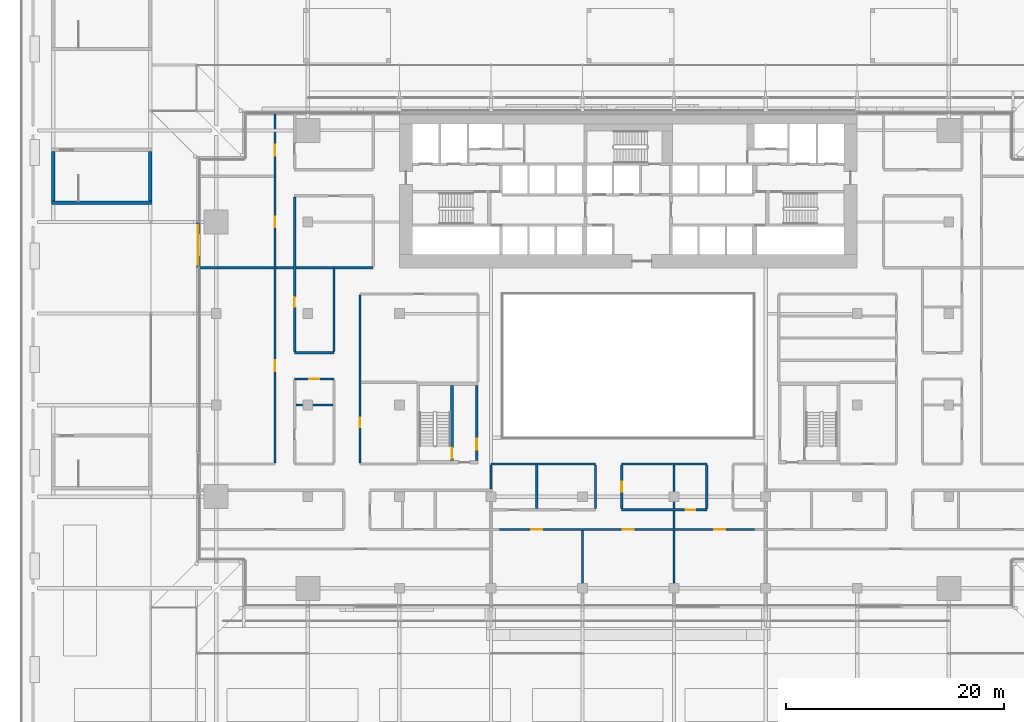
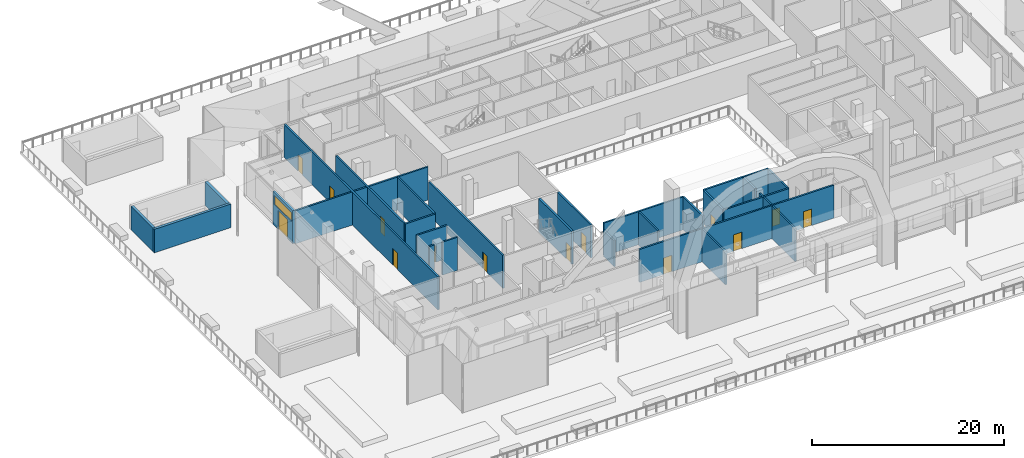
# One storey, part 23 of 60: 32 walls, 14 doors, 1 window, 15 openings.
"""IFC4 building model written with IfcOpenShell, lengths in metres."""

from ifc_helpers import new_model, si_unit, direction, frame, frame_2d, origin, place, context, subcontext, project, spatial, rectangle, extrude, material, layer, layer_set, type_object, element, fill, save


model = new_model("IFC4")

# Units and contexts
model_context = context("Model", 3, precision=1e-05, world=origin(), true_north=direction((0.0, 1.0)))
body_context = subcontext(model_context, "Body", "Model", "MODEL_VIEW")
ifc_project = project(units=[si_unit("LENGTHUNIT", "METRE"), si_unit("AREAUNIT", "SQUARE_METRE"), si_unit("VOLUMEUNIT", "CUBIC_METRE"), si_unit("PLANEANGLEUNIT", "RADIAN"), si_unit("MASSUNIT", "GRAM", prefix="KILO")], contexts=[model_context])

# Site, building, storey
site_placement = place(None, origin())
site = spatial("IfcSite", under=ifc_project, at=site_placement, CompositionType="ELEMENT")
building_placement = place(site_placement, origin())
building = spatial("IfcBuilding", under=site, at=building_placement, Name="Saffron Gate Tower", CompositionType="ELEMENT")
storey_placement = place(building_placement, frame((0.0, 0.0, 19.199951171875)))
storey = spatial("IfcBuildingStorey", under=building, at=storey_placement, Name="L03", CompositionType="ELEMENT", Elevation=19.199951171875)

# Wall, opening, door
ifc_material_1 = material(Name="Gypsum board partition on steel studs", Category="steel")
ifc_layer_1 = layer(ifc_material_1, 0.199951171875)
ifc_layer_set_1 = layer_set([ifc_layer_1], Name="CW10 Core partition 200")
wall_type_1 = type_object("IfcWallType", Name="CW10 Core partition 200", PredefinedType="PARTITIONING", material=ifc_layer_set_1)
wall_1_placement = place(storey_placement, frame((73.699951171875, 43.5, 0.0), z_axis=(0.0, 0.0, 1.0), x_axis=(0.0, 1.0, 0.0)))
wall_1 = element("IfcWall", 1, at=wall_1_placement, inside=storey, type_object=wall_type_1, Name="Wall CW10-L03-D-4", PredefinedType="PARTITIONING", context=body_context, shape_type="SweptSolid", body=[
    extrude(rectangle(XDim=6.89990234375, YDim=0.199951171875, at=frame_2d((3.449951171875, 0.0))), origin(), (0.0, 0.0, 1.0), 4.199951171875),
])
opening_1_placement = place(wall_1_placement, frame((1.0, 0.0, 0.0)))
opening_1 = element("IfcOpeningElement", 2, at=opening_1_placement, cuts=wall_1, Name="Opening CR-19", PredefinedType="OPENING", context=body_context, shape_type="SweptSolid", body=[
    extrude(rectangle(XDim=1.0, YDim=2.10009765625, at=frame_2d((0.5, 1.050048828125))), frame((0.0, 0.10986328125, 0.0), z_axis=(0.0, -1.0, 0.0), x_axis=(1.0, 0.0, 0.0)), (0.0, 0.0, 1.0), 0.219970703125),
])
ifc_material_2 = material(Name="Steel fire door set", Category="steel")
door_type_1 = type_object("IfcDoorType", Name="CD4 Lobby door 1000x2100 EI 120", OperationType="NOTDEFINED", PredefinedType="DOOR", material=ifc_material_2)
door_1_placement = place(opening_1_placement, origin())
door_1 = element("IfcDoor", 3, at=door_1_placement, inside=storey, type_object=door_type_1, Name="DOOR CR-19", OperationType="SINGLE_SWING_RIGHT", OverallHeight=2.10009765625, OverallWidth=1.0, PredefinedType="DOOR", context=body_context, shape_type="SweptSolid", body=[
    extrude(rectangle(XDim=1.0, YDim=2.10009765625, at=frame_2d((0.5, 1.050048828125))), frame((0.0, 0.02490234375, 0.0), z_axis=(0.0, -1.0, 0.0), x_axis=(1.0, 0.0, 0.0)), (0.0, 0.0, 1.0), 0.050048828125),
])
fill(opening_1, door_1)

ifc_material_3 = material(Name="Concrete C70", Category="concrete")
ifc_layer_2 = layer(ifc_material_3, 0.25)
ifc_layer_set_2 = layer_set([ifc_layer_2], Name="CW2 RC core wall 250 C70")
wall_type_2 = type_object("IfcWallType", Name="CW2 RC core wall 250 C70", PredefinedType="SOLIDWALL", material=ifc_layer_set_2)
wall_2_placement = place(storey_placement, frame((71.425048828125, 43.5, 0.0), z_axis=(0.0, 0.0, 1.0), x_axis=(0.0, 1.0, 0.0)))
wall_2 = element("IfcWall", 4, at=wall_2_placement, inside=storey, type_object=wall_type_2, Name="Wall CW2-L03-D-3", PredefinedType="SOLIDWALL", context=body_context, shape_type="SweptSolid", body=[
    extrude(rectangle(XDim=6.89990234375, YDim=0.25, at=frame_2d((3.449951171875, 0.0))), origin(), (0.0, 0.0, 1.0), 4.199951171875),
])
opening_2_placement = place(wall_2_placement, frame((0.199951171875, 0.0, 0.0)))
opening_2 = element("IfcOpeningElement", 5, at=opening_2_placement, cuts=wall_2, Name="Opening CR-20", PredefinedType="OPENING", context=body_context, shape_type="SweptSolid", body=[
    extrude(rectangle(XDim=1.0, YDim=2.10009765625, at=frame_2d((0.5, 1.050048828125))), frame((0.0, 0.135009765625, 0.0), z_axis=(0.0, -1.0, 0.0), x_axis=(1.0, 0.0, 0.0)), (0.0, 0.0, 1.0), 0.27001953125),
])
door_type_2 = type_object("IfcDoorType", Name="CD5 Stair door 1000x2100 EI 120", OperationType="NOTDEFINED", PredefinedType="DOOR", material=ifc_material_2)
door_2_placement = place(opening_2_placement, origin())
door_2 = element("IfcDoor", 6, at=door_2_placement, inside=storey, type_object=door_type_2, Name="DOOR CR-20", OperationType="SINGLE_SWING_LEFT", OverallHeight=2.10009765625, OverallWidth=1.0, PredefinedType="DOOR", context=body_context, shape_type="SweptSolid", body=[
    extrude(rectangle(XDim=1.0, YDim=2.10009765625, at=frame_2d((0.5, 1.050048828125))), frame((0.0, 0.02490234375, 0.0), z_axis=(0.0, -1.0, 0.0), x_axis=(1.0, 0.0, 0.0)), (0.0, 0.0, 1.0), 0.050048828125),
])
fill(opening_2, door_2)

# Walls
ifc_layer_3 = layer(ifc_material_3, 0.300048828125)
ifc_layer_set_3 = layer_set([ifc_layer_3], Name="CW5 RC core wall 300 C70")
wall_type_3 = type_object("IfcWallType", Name="CW5 RC core wall 300 C70", PredefinedType="SOLIDWALL", material=ifc_layer_set_3)
wall_3_placement = place(storey_placement, frame((34.699951171875, 67.175048828125, 0.0), z_axis=(0.0, 0.0, 1.0), x_axis=(1.0, 0.0, 0.0)))
element("IfcWall", 7, at=wall_3_placement, inside=storey, type_object=wall_type_3, Name="Wall CW5-L03-G-1", PredefinedType="SOLIDWALL", context=body_context, shape_type="SweptSolid", body=[
    extrude(rectangle(XDim=9.199951171875, YDim=0.300048828125, at=frame_2d((4.60009765625, 0.0))), origin(), (0.0, 0.0, 1.0), 3.0),
])
for number, where, z_axis, x_axis, name in (
    (8, (34.85009765625, 67.324951171875, 0.0), (0.0, 0.0, 1.0), (0.0, 1.0, 0.0), "Wall CW5-L03-G-2"),
    (9, (43.75, 67.324951171875, 0.0), (0.0, 0.0, 1.0), (0.0, 1.0, 0.0), "Wall CW5-L03-G-3"),
):
    element("IfcWall", number, at=place(storey_placement, frame(where, z_axis=z_axis, x_axis=x_axis)), inside=storey, type_object=wall_type_3, Name=name, PredefinedType="SOLIDWALL", context=body_context, shape_type="SweptSolid", body=[
        extrude(rectangle(XDim=4.550048828125, YDim=0.300048828125, at=frame_2d((2.27490234375, 0.0))), origin(), (0.0, 0.0, 1.0), 3.0),
    ])

# Wall, openings, doors
ifc_material_4 = material(Name="Clay brick masonry, rendered", Category="masonry")
ifc_layer_4 = layer(ifc_material_4, 0.199951171875)
ifc_layer_set_4 = layer_set([ifc_layer_4], Name="PW3 Corridor wall 200")
wall_type_4 = type_object("IfcWallType", Name="PW3 Corridor wall 200", PredefinedType="PARTITIONING", material=ifc_layer_set_4)
wall_4_placement = place(storey_placement, frame((99.175048828125, 37.199951171875, 0.0), z_axis=(0.0, 0.0, 1.0), x_axis=(-1.0, 0.0, 0.0)))
wall_4 = element("IfcWall", 10, at=wall_4_placement, inside=storey, type_object=wall_type_4, Name="Wall S1-5", PredefinedType="PARTITIONING", context=body_context, shape_type="SweptSolid", body=[
    extrude(rectangle(XDim=23.375, YDim=0.199951171875, at=frame_2d((11.6875, 0.0))), origin(), (0.0, 0.0, 1.0), 4.199951171875),
])
opening_3_placement = place(wall_4_placement, frame((2.675048828125, 0.0, 0.0)))
opening_3 = element("IfcOpeningElement", 11, at=opening_3_placement, cuts=wall_4, Name="Opening S1-35", PredefinedType="OPENING", context=body_context, shape_type="SweptSolid", body=[
    extrude(rectangle(XDim=1.0, YDim=2.10009765625, at=frame_2d((0.5, 1.050048828125))), frame((0.0, 0.10986328125, 0.0), z_axis=(0.0, -1.0, 0.0), x_axis=(1.0, 0.0, 0.0)), (0.0, 0.0, 1.0), 0.219970703125),
])
opening_4_placement = place(wall_4_placement, frame((11.074951171875, 0.0, 0.0)))
opening_4 = element("IfcOpeningElement", 12, at=opening_4_placement, cuts=wall_4, Name="Opening S1-34", PredefinedType="OPENING", context=body_context, shape_type="SweptSolid", body=[
    extrude(rectangle(XDim=1.0, YDim=2.10009765625, at=frame_2d((0.5, 1.050048828125))), frame((0.0, 0.10986328125, 0.0), z_axis=(0.0, -1.0, 0.0), x_axis=(1.0, 0.0, 0.0)), (0.0, 0.0, 1.0), 0.219970703125),
])
opening_5_placement = place(wall_4_placement, frame((19.47509765625, 0.0, 0.0)))
opening_5 = element("IfcOpeningElement", 13, at=opening_5_placement, cuts=wall_4, Name="Opening S1-33", PredefinedType="OPENING", context=body_context, shape_type="SweptSolid", body=[
    extrude(rectangle(XDim=1.0, YDim=2.10009765625, at=frame_2d((0.5, 1.050048828125))), frame((0.0, 0.10986328125, 0.0), z_axis=(0.0, -1.0, 0.0), x_axis=(1.0, 0.0, 0.0)), (0.0, 0.0, 1.0), 0.219970703125),
])
ifc_material_5 = material(Name="Timber door set", Category="wood")
door_type_3 = type_object("IfcDoorType", Name="HD1 Hall door 1200x2100", OperationType="NOTDEFINED", PredefinedType="DOOR", material=ifc_material_5)
door_3_placement = place(opening_3_placement, origin())
door_3 = element("IfcDoor", 14, at=door_3_placement, inside=storey, type_object=door_type_3, Name="Door S1-35", OperationType="SINGLE_SWING_LEFT", OverallHeight=2.10009765625, OverallWidth=1.0, PredefinedType="DOOR", context=body_context, shape_type="SweptSolid", body=[
    extrude(rectangle(XDim=1.0, YDim=2.10009765625, at=frame_2d((0.5, 1.050048828125))), frame((0.0, 0.02490234375, 0.0), z_axis=(0.0, -1.0, 0.0), x_axis=(1.0, 0.0, 0.0)), (0.0, 0.0, 1.0), 0.050048828125),
])
fill(opening_3, door_3)
door_4_placement = place(opening_4_placement, origin())
door_4 = element("IfcDoor", 15, at=door_4_placement, inside=storey, type_object=door_type_3, Name="Door S1-34", OperationType="SINGLE_SWING_RIGHT", OverallHeight=2.10009765625, OverallWidth=1.0, PredefinedType="DOOR", context=body_context, shape_type="SweptSolid", body=[
    extrude(rectangle(XDim=1.0, YDim=2.10009765625, at=frame_2d((0.5, 1.050048828125))), frame((0.0, 0.02490234375, 0.0), z_axis=(0.0, -1.0, 0.0), x_axis=(1.0, 0.0, 0.0)), (0.0, 0.0, 1.0), 0.050048828125),
])
fill(opening_4, door_4)
door_5_placement = place(opening_5_placement, origin())
door_5 = element("IfcDoor", 16, at=door_5_placement, inside=storey, type_object=door_type_3, Name="Door S1-33", OperationType="SINGLE_SWING_RIGHT", OverallHeight=2.10009765625, OverallWidth=1.0, PredefinedType="DOOR", context=body_context, shape_type="SweptSolid", body=[
    extrude(rectangle(XDim=1.0, YDim=2.10009765625, at=frame_2d((0.5, 1.050048828125))), frame((0.0, 0.02490234375, 0.0), z_axis=(0.0, -1.0, 0.0), x_axis=(1.0, 0.0, 0.0)), (0.0, 0.0, 1.0), 0.050048828125),
])
fill(opening_5, door_5)

# Wall, opening, door
wall_5_placement = place(storey_placement, frame((87.0, 39.0, 0.0), z_axis=(0.0, 0.0, 1.0), x_axis=(1.0, 0.0, 0.0)))
wall_5 = element("IfcWall", 17, at=wall_5_placement, inside=storey, type_object=wall_type_4, Name="Wall S1-9", PredefinedType="PARTITIONING", context=body_context, shape_type="SweptSolid", body=[
    extrude(rectangle(XDim=7.800048828125, YDim=0.199951171875, at=frame_2d((3.89990234375, 0.0))), origin(), (0.0, 0.0, 1.0), 4.199951171875),
])
opening_6_placement = place(wall_5_placement, frame((5.85009765625, 0.0, 0.0)))
opening_6 = element("IfcOpeningElement", 18, at=opening_6_placement, cuts=wall_5, Name="Opening S1-13", PredefinedType="OPENING", context=body_context, shape_type="SweptSolid", body=[
    extrude(rectangle(XDim=0.89990234375, YDim=2.10009765625, at=frame_2d((0.449951171875, 1.050048828125))), frame((0.0, 0.10986328125, 0.0), z_axis=(0.0, -1.0, 0.0), x_axis=(1.0, 0.0, 0.0)), (0.0, 0.0, 1.0), 0.219970703125),
])
door_type_4 = type_object("IfcDoorType", Name="RD1 Room door 900x2100", OperationType="NOTDEFINED", PredefinedType="DOOR", material=ifc_material_5)
door_6_placement = place(opening_6_placement, origin())
door_6 = element("IfcDoor", 19, at=door_6_placement, inside=storey, type_object=door_type_4, Name="Door S1-13", OperationType="SINGLE_SWING_LEFT", OverallHeight=2.10009765625, OverallWidth=0.89990234375, PredefinedType="DOOR", context=body_context, shape_type="SweptSolid", body=[
    extrude(rectangle(XDim=0.89990234375, YDim=2.10009765625, at=frame_2d((0.449951171875, 1.050048828125))), frame((0.0, 0.02490234375, 0.0), z_axis=(0.0, -1.0, 0.0), x_axis=(1.0, 0.0, 0.0)), (0.0, 0.0, 1.0), 0.050048828125),
])
fill(opening_6, door_6)

# Walls
wall_6_placement = place(storey_placement, frame((75.0, 43.199951171875, 0.0), z_axis=(0.0, 0.0, 1.0), x_axis=(1.0, 0.0, 0.0)))
element("IfcWall", 20, at=wall_6_placement, inside=storey, type_object=wall_type_4, Name="Wall S1-20", PredefinedType="PARTITIONING", context=body_context, shape_type="SweptSolid", body=[
    extrude(rectangle(XDim=9.60009765625, YDim=0.199951171875, at=frame_2d((4.800048828125, 0.0))), origin(), (0.0, 0.0, 1.0), 4.199951171875),
])
wall_7_placement = place(storey_placement, frame((87.0, 43.199951171875, 0.0), z_axis=(0.0, 0.0, 1.0), x_axis=(1.0, 0.0, 0.0)))
element("IfcWall", 21, at=wall_7_placement, inside=storey, type_object=wall_type_4, Name="Wall S1-21", PredefinedType="PARTITIONING", context=body_context, shape_type="SweptSolid", body=[
    extrude(rectangle(XDim=7.800048828125, YDim=0.199951171875, at=frame_2d((3.89990234375, 0.0))), origin(), (0.0, 0.0, 1.0), 4.199951171875),
])

# Wall, opening, door
wall_8_placement = place(storey_placement, frame((60.60009765625, 51.0, 0.0), z_axis=(0.0, 0.0, 1.0), x_axis=(-1.0, 0.0, 0.0)))
wall_8 = element("IfcWall", 22, at=wall_8_placement, inside=storey, type_object=wall_type_4, Name="Wall S1-32", PredefinedType="PARTITIONING", context=body_context, shape_type="SweptSolid", body=[
    extrude(rectangle(XDim=3.60009765625, YDim=0.199951171875, at=frame_2d((1.800048828125, 0.0))), origin(), (0.0, 0.0, 1.0), 4.199951171875),
])
opening_7_placement = place(wall_8_placement, frame((1.35009765625, 0.0, 0.0)))
opening_7 = element("IfcOpeningElement", 23, at=opening_7_placement, cuts=wall_8, Name="Opening S1-20", PredefinedType="OPENING", context=body_context, shape_type="SweptSolid", body=[
    extrude(rectangle(XDim=0.89990234375, YDim=2.10009765625, at=frame_2d((0.449951171875, 1.050048828125))), frame((0.0, 0.10986328125, 0.0), z_axis=(0.0, -1.0, 0.0), x_axis=(1.0, 0.0, 0.0)), (0.0, 0.0, 1.0), 0.219970703125),
])
door_7_placement = place(opening_7_placement, origin())
door_7 = element("IfcDoor", 24, at=door_7_placement, inside=storey, type_object=door_type_4, Name="Door S1-20", OperationType="SINGLE_SWING_LEFT", OverallHeight=2.10009765625, OverallWidth=0.89990234375, PredefinedType="DOOR", context=body_context, shape_type="SweptSolid", body=[
    extrude(rectangle(XDim=0.89990234375, YDim=2.10009765625, at=frame_2d((0.449951171875, 1.050048828125))), frame((0.0, 0.02490234375, 0.0), z_axis=(0.0, -1.0, 0.0), x_axis=(1.0, 0.0, 0.0)), (0.0, 0.0, 1.0), 0.050048828125),
])
fill(opening_7, door_7)

# Walls
wall_9_placement = place(storey_placement, frame((57.0, 53.39990234375, 0.0), z_axis=(0.0, 0.0, 1.0), x_axis=(1.0, 0.0, 0.0)))
element("IfcWall", 25, at=wall_9_placement, inside=storey, type_object=wall_type_4, Name="Wall S1-35", PredefinedType="PARTITIONING", context=body_context, shape_type="SweptSolid", body=[
    extrude(rectangle(XDim=3.60009765625, YDim=0.199951171875, at=frame_2d((1.800048828125, 0.0))), origin(), (0.0, 0.0, 1.0), 4.199951171875),
])
wall_10_placement = place(storey_placement, frame((55.300048828125, 61.199951171875, 0.0), z_axis=(0.0, 0.0, 1.0), x_axis=(1.0, 0.0, 0.0)))
element("IfcWall", 26, at=wall_10_placement, inside=storey, type_object=wall_type_4, Name="Wall S1-43", PredefinedType="PARTITIONING", context=body_context, shape_type="SweptSolid", body=[
    extrude(rectangle(XDim=1.599853515625, YDim=0.199951171875, at=frame_2d((0.7998046875, 0.0))), origin(), (0.0, 0.0, 1.0), 4.199951171875),
])
wall_11_placement = place(storey_placement, frame((60.60009765625, 61.199951171875, 0.0), z_axis=(0.0, 0.0, 1.0), x_axis=(1.0, 0.0, 0.0)))
element("IfcWall", 27, at=wall_11_placement, inside=storey, type_object=wall_type_4, Name="Wall S1-44", PredefinedType="PARTITIONING", context=body_context, shape_type="SweptSolid", body=[
    extrude(rectangle(XDim=3.599853515625, YDim=0.199951171875, at=frame_2d((1.7998046875, 0.0))), origin(), (0.0, 0.0, 1.0), 4.199951171875),
])

# Wall, openings, doors
wall_12_placement = place(storey_placement, frame((55.199951171875, 43.300048828125, 0.0), z_axis=(0.0, 0.0, 1.0), x_axis=(0.0, 1.0, 0.0)))
wall_12 = element("IfcWall", 28, at=wall_12_placement, inside=storey, type_object=wall_type_4, Name="Wall S1-57", PredefinedType="PARTITIONING", context=body_context, shape_type="SweptSolid", body=[
    extrude(rectangle(XDim=32.02001953125, YDim=0.199951171875, at=frame_2d((16.010009765625, 0.0))), origin(), (0.0, 0.0, 1.0), 4.199951171875),
])
opening_8_placement = place(wall_12_placement, frame((8.39990234375, 0.0, 0.0)))
opening_8 = element("IfcOpeningElement", 29, at=opening_8_placement, cuts=wall_12, Name="Opening S1-37", PredefinedType="OPENING", context=body_context, shape_type="SweptSolid", body=[
    extrude(rectangle(XDim=1.0, YDim=2.10009765625, at=frame_2d((0.5, 1.050048828125))), frame((0.0, 0.10986328125, 0.0), z_axis=(0.0, -1.0, 0.0), x_axis=(1.0, 0.0, 0.0)), (0.0, 0.0, 1.0), 0.219970703125),
])
opening_9_placement = place(wall_12_placement, frame((21.60009765625, 0.0, 0.0)))
opening_9 = element("IfcOpeningElement", 30, at=opening_9_placement, cuts=wall_12, Name="Opening S1-38", PredefinedType="OPENING", context=body_context, shape_type="SweptSolid", body=[
    extrude(rectangle(XDim=1.0, YDim=2.10009765625, at=frame_2d((0.5, 1.050048828125))), frame((0.0, 0.10986328125, 0.0), z_axis=(0.0, -1.0, 0.0), x_axis=(1.0, 0.0, 0.0)), (0.0, 0.0, 1.0), 0.219970703125),
])
opening_10_placement = place(wall_12_placement, frame((28.178955078125, 0.0, 0.0)))
opening_10 = element("IfcOpeningElement", 31, at=opening_10_placement, cuts=wall_12, Name="Opening S1-39", PredefinedType="OPENING", context=body_context, shape_type="SweptSolid", body=[
    extrude(rectangle(XDim=1.0, YDim=2.10009765625, at=frame_2d((0.5, 1.050048828125))), frame((0.0, 0.10986328125, 0.0), z_axis=(0.0, -1.0, 0.0), x_axis=(1.0, 0.0, 0.0)), (0.0, 0.0, 1.0), 0.219970703125),
])
door_8_placement = place(opening_8_placement, origin())
door_8 = element("IfcDoor", 32, at=door_8_placement, inside=storey, type_object=door_type_3, Name="Door S1-37", OperationType="SINGLE_SWING_LEFT", OverallHeight=2.10009765625, OverallWidth=1.0, PredefinedType="DOOR", context=body_context, shape_type="SweptSolid", body=[
    extrude(rectangle(XDim=1.0, YDim=2.10009765625, at=frame_2d((0.5, 1.050048828125))), frame((0.0, 0.02490234375, 0.0), z_axis=(0.0, -1.0, 0.0), x_axis=(1.0, 0.0, 0.0)), (0.0, 0.0, 1.0), 0.050048828125),
])
fill(opening_8, door_8)
door_9_placement = place(opening_9_placement, origin())
door_9 = element("IfcDoor", 33, at=door_9_placement, inside=storey, type_object=door_type_3, Name="Door S1-38", OperationType="SINGLE_SWING_LEFT", OverallHeight=2.10009765625, OverallWidth=1.0, PredefinedType="DOOR", context=body_context, shape_type="SweptSolid", body=[
    extrude(rectangle(XDim=1.0, YDim=2.10009765625, at=frame_2d((0.5, 1.050048828125))), frame((0.0, 0.02490234375, 0.0), z_axis=(0.0, -1.0, 0.0), x_axis=(1.0, 0.0, 0.0)), (0.0, 0.0, 1.0), 0.050048828125),
])
fill(opening_9, door_9)
door_10_placement = place(opening_10_placement, origin())
door_10 = element("IfcDoor", 34, at=door_10_placement, inside=storey, type_object=door_type_3, Name="Door S1-39", OperationType="SINGLE_SWING_LEFT", OverallHeight=2.10009765625, OverallWidth=1.0, PredefinedType="DOOR", context=body_context, shape_type="SweptSolid", body=[
    extrude(rectangle(XDim=1.0, YDim=2.10009765625, at=frame_2d((0.5, 1.050048828125))), frame((0.0, 0.02490234375, 0.0), z_axis=(0.0, -1.0, 0.0), x_axis=(1.0, 0.0, 0.0)), (0.0, 0.0, 1.0), 0.050048828125),
])
fill(opening_10, door_10)

# Wall, opening, door
wall_13_placement = place(storey_placement, frame((57.0, 67.699951171875, 0.0), z_axis=(0.0, 0.0, 1.0), x_axis=(0.0, -1.0, 0.0)))
wall_13 = element("IfcWall", 35, at=wall_13_placement, inside=storey, type_object=wall_type_4, Name="Wall S1-59", PredefinedType="PARTITIONING", context=body_context, shape_type="SweptSolid", body=[
    extrude(rectangle(XDim=14.199951171875, YDim=0.199951171875, at=frame_2d((7.10009765625, 0.0))), origin(), (0.0, 0.0, 1.0), 4.199951171875),
])
opening_11_placement = place(wall_13_placement, frame((9.199951171875, 0.0, 0.0)))
opening_11 = element("IfcOpeningElement", 36, at=opening_11_placement, cuts=wall_13, Name="Opening S1-21", PredefinedType="OPENING", context=body_context, shape_type="SweptSolid", body=[
    extrude(rectangle(XDim=0.89990234375, YDim=2.10009765625, at=frame_2d((0.449951171875, 1.050048828125))), frame((0.0, 0.10986328125, 0.0), z_axis=(0.0, -1.0, 0.0), x_axis=(1.0, 0.0, 0.0)), (0.0, 0.0, 1.0), 0.219970703125),
])
door_11_placement = place(opening_11_placement, origin())
door_11 = element("IfcDoor", 37, at=door_11_placement, inside=storey, type_object=door_type_4, Name="Door S1-21", OperationType="SINGLE_SWING_LEFT", OverallHeight=2.10009765625, OverallWidth=0.89990234375, PredefinedType="DOOR", context=body_context, shape_type="SweptSolid", body=[
    extrude(rectangle(XDim=0.89990234375, YDim=2.10009765625, at=frame_2d((0.449951171875, 1.050048828125))), frame((0.0, 0.02490234375, 0.0), z_axis=(0.0, -1.0, 0.0), x_axis=(1.0, 0.0, 0.0)), (0.0, 0.0, 1.0), 0.050048828125),
])
fill(opening_11, door_11)

# Wall
wall_14_placement = place(storey_placement, frame((60.60009765625, 61.10009765625, 0.0), z_axis=(0.0, 0.0, 1.0), x_axis=(0.0, -1.0, 0.0)))
element("IfcWall", 38, at=wall_14_placement, inside=storey, type_object=wall_type_4, Name="Wall S1-62", PredefinedType="PARTITIONING", context=body_context, shape_type="SweptSolid", body=[
    extrude(rectangle(XDim=7.60009765625, YDim=0.199951171875, at=frame_2d((3.800048828125, 0.0))), origin(), (0.0, 0.0, 1.0), 4.199951171875),
])

# Wall, opening, door
wall_15_placement = place(storey_placement, frame((63.0, 58.699951171875, 0.0), z_axis=(0.0, 0.0, 1.0), x_axis=(0.0, -1.0, 0.0)))
wall_15 = element("IfcWall", 39, at=wall_15_placement, inside=storey, type_object=wall_type_4, Name="Wall S1-64", PredefinedType="PARTITIONING", context=body_context, shape_type="SweptSolid", body=[
    extrude(rectangle(XDim=15.39990234375, YDim=0.199951171875, at=frame_2d((7.699951171875, 0.0))), origin(), (0.0, 0.0, 1.0), 4.199951171875),
])
opening_12_placement = place(wall_15_placement, frame((11.25, 0.0, 0.0)))
opening_12 = element("IfcOpeningElement", 40, at=opening_12_placement, cuts=wall_15, Name="Opening S1-31", PredefinedType="OPENING", context=body_context, shape_type="SweptSolid", body=[
    extrude(rectangle(XDim=0.89990234375, YDim=2.10009765625, at=frame_2d((0.449951171875, 1.050048828125))), frame((0.0, 0.10986328125, 0.0), z_axis=(0.0, -1.0, 0.0), x_axis=(1.0, 0.0, 0.0)), (0.0, 0.0, 1.0), 0.219970703125),
])
door_type_5 = type_object("IfcDoorType", Name="SD1 Service door 900x2100", OperationType="NOTDEFINED", PredefinedType="DOOR", material=ifc_material_2)
door_12_placement = place(opening_12_placement, origin())
door_12 = element("IfcDoor", 41, at=door_12_placement, inside=storey, type_object=door_type_5, Name="Door S1-31", OperationType="SINGLE_SWING_RIGHT", OverallHeight=2.10009765625, OverallWidth=0.89990234375, PredefinedType="DOOR", context=body_context, shape_type="SweptSolid", body=[
    extrude(rectangle(XDim=0.89990234375, YDim=2.10009765625, at=frame_2d((0.449951171875, 1.050048828125))), frame((0.0, 0.02490234375, 0.0), z_axis=(0.0, -1.0, 0.0), x_axis=(1.0, 0.0, 0.0)), (0.0, 0.0, 1.0), 0.050048828125),
])
fill(opening_12, door_12)

# Walls
wall_16_placement = place(storey_placement, frame((75.0, 43.10009765625, 0.0), z_axis=(0.0, 0.0, 1.0), x_axis=(0.0, -1.0, 0.0)))
element("IfcWall", 42, at=wall_16_placement, inside=storey, type_object=wall_type_4, Name="Wall S1-71", PredefinedType="PARTITIONING", context=body_context, shape_type="SweptSolid", body=[
    extrude(rectangle(XDim=2.2001953125, YDim=0.199951171875, at=frame_2d((1.10009765625, 0.0))), origin(), (0.0, 0.0, 1.0), 3.300048828125),
])
wall_17_placement = place(storey_placement, frame((84.60009765625, 43.10009765625, 0.0), z_axis=(0.0, 0.0, 1.0), x_axis=(0.0, -1.0, 0.0)))
element("IfcWall", 43, at=wall_17_placement, inside=storey, type_object=wall_type_4, Name="Wall S1-78", PredefinedType="PARTITIONING", context=body_context, shape_type="SweptSolid", body=[
    extrude(rectangle(XDim=4.0, YDim=0.199951171875, at=frame_2d((2.0, 0.0))), origin(), (0.0, 0.0, 1.0), 4.199951171875),
])

# Wall, opening, door
wall_18_placement = place(storey_placement, frame((87.0, 43.10009765625, 0.0), z_axis=(0.0, 0.0, 1.0), x_axis=(0.0, -1.0, 0.0)))
wall_18 = element("IfcWall", 44, at=wall_18_placement, inside=storey, type_object=wall_type_4, Name="Wall S1-79", PredefinedType="PARTITIONING", context=body_context, shape_type="SweptSolid", body=[
    extrude(rectangle(XDim=4.0, YDim=0.199951171875, at=frame_2d((2.0, 0.0))), origin(), (0.0, 0.0, 1.0), 4.199951171875),
])
opening_13_placement = place(wall_18_placement, frame((1.550048828125, 0.0, 0.0)))
opening_13 = element("IfcOpeningElement", 45, at=opening_13_placement, cuts=wall_18, Name="Opening S1-12", PredefinedType="OPENING", context=body_context, shape_type="SweptSolid", body=[
    extrude(rectangle(XDim=0.89990234375, YDim=2.10009765625, at=frame_2d((0.449951171875, 1.050048828125))), frame((0.0, 0.10986328125, 0.0), z_axis=(0.0, -1.0, 0.0), x_axis=(1.0, 0.0, 0.0)), (0.0, 0.0, 1.0), 0.219970703125),
])
door_13_placement = place(opening_13_placement, origin())
door_13 = element("IfcDoor", 46, at=door_13_placement, inside=storey, type_object=door_type_4, Name="Door S1-12", OperationType="SINGLE_SWING_RIGHT", OverallHeight=2.10009765625, OverallWidth=0.89990234375, PredefinedType="DOOR", context=body_context, shape_type="SweptSolid", body=[
    extrude(rectangle(XDim=0.89990234375, YDim=2.10009765625, at=frame_2d((0.449951171875, 1.050048828125))), frame((0.0, 0.02490234375, 0.0), z_axis=(0.0, -1.0, 0.0), x_axis=(1.0, 0.0, 0.0)), (0.0, 0.0, 1.0), 0.050048828125),
])
fill(opening_13, door_13)

# Walls
wall_19_placement = place(storey_placement, frame((91.800048828125, 38.89990234375, 0.0), z_axis=(0.0, 0.0, 1.0), x_axis=(0.0, -1.0, 0.0)))
element("IfcWall", 47, at=wall_19_placement, inside=storey, type_object=wall_type_4, Name="Wall S1-80", PredefinedType="PARTITIONING", context=body_context, shape_type="SweptSolid", body=[
    extrude(rectangle(XDim=1.599853515625, YDim=0.199951171875, at=frame_2d((0.7998046875, 0.0))), origin(), (0.0, 0.0, 1.0), 4.199951171875),
])
wall_20_placement = place(storey_placement, frame((94.800048828125, 43.10009765625, 0.0), z_axis=(0.0, 0.0, 1.0), x_axis=(0.0, -1.0, 0.0)))
element("IfcWall", 48, at=wall_20_placement, inside=storey, type_object=wall_type_4, Name="Wall S1-85", PredefinedType="PARTITIONING", context=body_context, shape_type="SweptSolid", body=[
    extrude(rectangle(XDim=4.0, YDim=0.199951171875, at=frame_2d((2.0, 0.0))), origin(), (0.0, 0.0, 1.0), 4.199951171875),
])
ifc_layer_5 = layer(ifc_material_4, 0.199951171875)
ifc_layer_set_5 = layer_set([ifc_layer_5], Name="PW5 Room wall 200")
wall_type_5 = type_object("IfcWallType", Name="PW5 Room wall 200", PredefinedType="PARTITIONING", material=ifc_layer_set_5)
wall_21_placement = place(storey_placement, frame((57.10009765625, 48.60009765625, 0.0), z_axis=(0.0, 0.0, 1.0), x_axis=(1.0, 0.0, 0.0)))
element("IfcWall", 49, at=wall_21_placement, inside=storey, type_object=wall_type_5, Name="Wall S1-26", PredefinedType="PARTITIONING", context=body_context, shape_type="SweptSolid", body=[
    extrude(rectangle(XDim=0.6298828125, YDim=0.199951171875, at=frame_2d((0.31494140625, 0.0))), origin(), (0.0, 0.0, 1.0), 4.199951171875),
])
wall_22_placement = place(storey_placement, frame((58.669921875, 48.60009765625, 0.0), z_axis=(0.0, 0.0, 1.0), x_axis=(1.0, 0.0, 0.0)))
element("IfcWall", 50, at=wall_22_placement, inside=storey, type_object=wall_type_5, Name="Wall S1-27", PredefinedType="PARTITIONING", context=body_context, shape_type="SweptSolid", body=[
    extrude(rectangle(XDim=1.830078125, YDim=0.199951171875, at=frame_2d((0.9150390625, 0.0))), origin(), (0.0, 0.0, 1.0), 4.199951171875),
])
wall_23_placement = place(storey_placement, frame((48.280029296875, 61.199951171875, 0.0), z_axis=(0.0, 0.0, 1.0), x_axis=(1.0, 0.0, 0.0)))
element("IfcWall", 51, at=wall_23_placement, inside=storey, type_object=wall_type_5, Name="Wall S1-47", PredefinedType="PARTITIONING", context=body_context, shape_type="SweptSolid", body=[
    extrude(rectangle(XDim=6.820068359375, YDim=0.199951171875, at=frame_2d((3.41015625, 0.0))), origin(), (0.0, 0.0, 1.0), 4.199951171875),
])
wall_24_placement = place(storey_placement, frame((57.10009765625, 61.199951171875, 0.0), z_axis=(0.0, 0.0, 1.0), x_axis=(1.0, 0.0, 0.0)))
element("IfcWall", 52, at=wall_24_placement, inside=storey, type_object=wall_type_5, Name="Wall S1-48", PredefinedType="PARTITIONING", context=body_context, shape_type="SweptSolid", body=[
    extrude(rectangle(XDim=3.5, YDim=0.199951171875, at=frame_2d((1.75, 0.0))), origin(), (0.0, 0.0, 1.0), 4.199951171875),
])
wall_25_placement = place(storey_placement, frame((79.199951171875, 43.10009765625, 0.0), z_axis=(0.0, 0.0, 1.0), x_axis=(0.0, -1.0, 0.0)))
element("IfcWall", 53, at=wall_25_placement, inside=storey, type_object=wall_type_5, Name="Wall S1-75", PredefinedType="PARTITIONING", context=body_context, shape_type="SweptSolid", body=[
    extrude(rectangle(XDim=4.0, YDim=0.199951171875, at=frame_2d((2.0, 0.0))), origin(), (0.0, 0.0, 1.0), 4.199951171875),
])
for number, where, z_axis, x_axis, name in (
    (54, (83.39990234375, 37.10009765625, 0.0), (0.0, 0.0, 1.0), (0.0, -1.0, 0.0), "Wall S1-77"),
    (55, (91.800048828125, 37.10009765625, 0.0), (0.0, 0.0, 1.0), (0.0, -1.0, 0.0), "Wall S1-82"),
):
    element("IfcWall", number, at=place(storey_placement, frame(where, z_axis=z_axis, x_axis=x_axis)), inside=storey, type_object=wall_type_5, Name=name, PredefinedType="PARTITIONING", context=body_context, shape_type="SweptSolid", body=[
        extrude(rectangle(XDim=4.830078125, YDim=0.199951171875, at=frame_2d((2.4150390625, 0.0))), origin(), (0.0, 0.0, 1.0), 4.199951171875),
    ])
wall_26_placement = place(storey_placement, frame((91.800048828125, 39.72998046875, 0.0), z_axis=(0.0, 0.0, 1.0), x_axis=(0.0, -1.0, 0.0)))
element("IfcWall", 56, at=wall_26_placement, inside=storey, type_object=wall_type_5, Name="Wall S1-83", PredefinedType="PARTITIONING", context=body_context, shape_type="SweptSolid", body=[
    extrude(rectangle(XDim=0.6298828125, YDim=0.199951171875, at=frame_2d((0.31494140625, 0.0))), origin(), (0.0, 0.0, 1.0), 4.199951171875),
])
wall_27_placement = place(storey_placement, frame((91.800048828125, 43.10009765625, 0.0), z_axis=(0.0, 0.0, 1.0), x_axis=(0.0, -1.0, 0.0)))
element("IfcWall", 57, at=wall_27_placement, inside=storey, type_object=wall_type_5, Name="Wall S1-84", PredefinedType="PARTITIONING", context=body_context, shape_type="SweptSolid", body=[
    extrude(rectangle(XDim=2.43017578125, YDim=0.199951171875, at=frame_2d((1.215087890625, 0.0))), origin(), (0.0, 0.0, 1.0), 4.199951171875),
])

# Wall, openings, door, window
ifc_material_6 = material(Name="Reinforced concrete C40/50 clad in bronze panels", Category="concrete")
ifc_layer_6 = layer(ifc_material_6, 0.25)
ifc_layer_set_6 = layer_set([ifc_layer_6], Name="WBAY2 deck door bay wall")
wall_type_6 = type_object("IfcWallType", Name="WBAY2 deck door bay wall", PredefinedType="SOLIDWALL", material=ifc_layer_set_6)
wall_28_placement = place(storey_placement, frame((48.125, 61.239990234375, 0.0), z_axis=(0.0, 0.0, 1.0), x_axis=(0.0, 1.0, 0.0)))
wall_28 = element("IfcWall", 58, at=wall_28_placement, inside=storey, type_object=wall_type_6, Name="ENTRANCE BAY wall", PredefinedType="SOLIDWALL", context=body_context, shape_type="SweptSolid", body=[
    extrude(rectangle(XDim=4.1201171875, YDim=0.25, at=frame_2d((2.06005859375, 0.0))), origin(), (0.0, 0.0, 1.0), 4.199951171875),
])
opening_14_placement = place(wall_28_placement, frame((1.06005859375, 0.0, 0.0)))
opening_14 = element("IfcOpeningElement", 59, at=opening_14_placement, cuts=wall_28, Name="Opening D07", PredefinedType="OPENING", context=body_context, shape_type="SweptSolid", body=[
    extrude(rectangle(XDim=2.0, YDim=2.39990234375, at=frame_2d((1.0, 1.199951171875))), frame((0.0, 0.135009765625, 0.0), z_axis=(0.0, -1.0, 0.0), x_axis=(1.0, 0.0, 0.0)), (0.0, 0.0, 1.0), 0.27001953125),
])
opening_15_placement = place(wall_28_placement, frame((0.260009765625, 0.0, 2.699951171875)))
opening_15 = element("IfcOpeningElement", 60, at=opening_15_placement, cuts=wall_28, Name="Opening W10", PredefinedType="OPENING", context=body_context, shape_type="SweptSolid", body=[
    extrude(rectangle(XDim=3.60009765625, YDim=1.10009765625, at=frame_2d((1.800048828125, 0.550048828125))), frame((0.0, 0.135009765625, 0.0), z_axis=(0.0, -1.0, 0.0), x_axis=(1.0, 0.0, 0.0)), (0.0, 0.0, 1.0), 0.27001953125),
])
ifc_material_7 = material(Name="Bronze-framed toughened glass", Category="glass")
ifc_layer_7 = layer(ifc_material_7, 0.050048828125)
ifc_layer_set_7 = layer_set([ifc_layer_7], Name="D1 external double door 2000x2400")
door_type_6 = type_object("IfcDoorType", Name="D1 external double door 2000x2400", OperationType="DOUBLE_DOOR_SINGLE_SWING", PredefinedType="DOOR", material=ifc_layer_set_7)
door_14_placement = place(opening_14_placement, origin())
door_14 = element("IfcDoor", 61, at=door_14_placement, inside=storey, type_object=door_type_6, Name="DOOR D07", OperationType="DOUBLE_DOOR_SINGLE_SWING", OverallHeight=2.39990234375, OverallWidth=2.0, PredefinedType="DOOR", context=body_context, shape_type="SweptSolid", body=[
    extrude(rectangle(XDim=2.0, YDim=2.39990234375, at=frame_2d((1.0, 1.199951171875))), frame((0.0, 0.02490234375, 0.0), z_axis=(0.0, -1.0, 0.0), x_axis=(1.0, 0.0, 0.0)), (0.0, 0.0, 1.0), 0.050048828125),
])
fill(opening_14, door_14)
ifc_material_8 = material(Name="Clear low-iron laminated glass in bronze frame", Category="glass")
ifc_layer_8 = layer(ifc_material_8, 0.06005859375)
ifc_layer_set_8 = layer_set([ifc_layer_8], Name="W10 school entrance light")
window_type = type_object("IfcWindowType", Name="W10 school entrance light", PartitioningType="SINGLE_PANEL", PredefinedType="WINDOW", material=ifc_layer_set_8)
window_placement = place(opening_15_placement, origin())
window = element("IfcWindow", 62, at=window_placement, inside=storey, type_object=window_type, Name="W10 entrance light", OverallHeight=1.10009765625, OverallWidth=3.60009765625, PartitioningType="SINGLE_PANEL", PredefinedType="WINDOW", context=body_context, shape_type="SweptSolid", body=[
    extrude(rectangle(XDim=3.60009765625, YDim=1.10009765625, at=frame_2d((1.800048828125, 0.550048828125))), frame((0.0, 0.030029296875, 0.0), z_axis=(0.0, -1.0, 0.0), x_axis=(1.0, 0.0, 0.0)), (0.0, 0.0, 1.0), 0.06005859375),
])
fill(opening_15, window)

save(model, "model.ifc")
